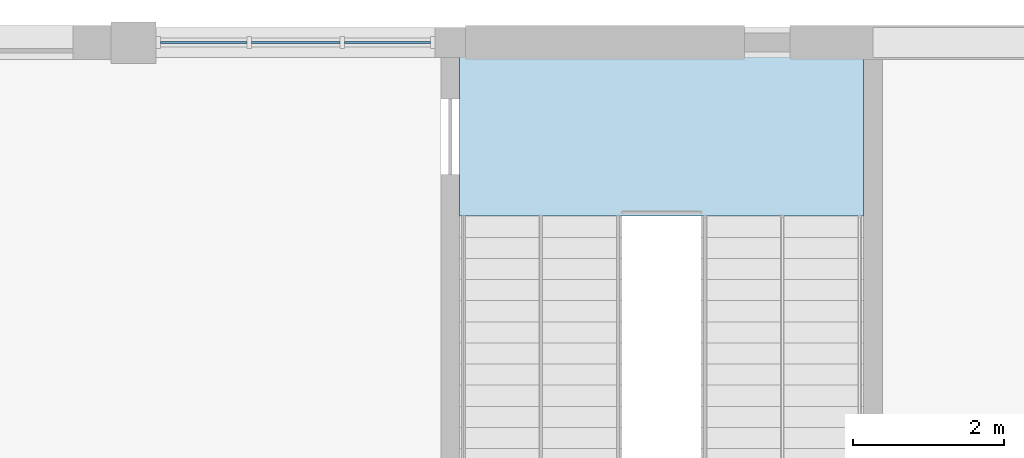
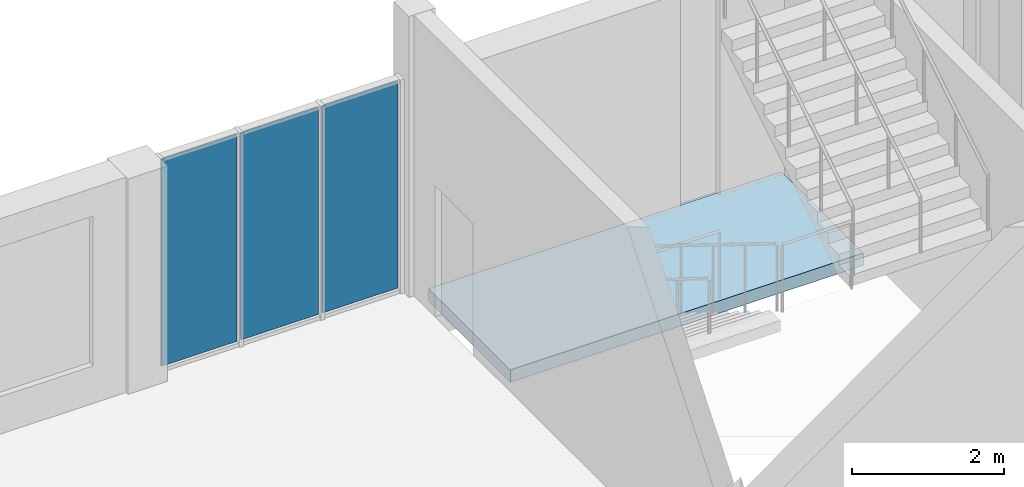
# One storey, part 91 of 116: 3 plates, 1 slab, 2 elements without a shape of their own.
"""IFC4 building model written with IfcOpenShell, lengths in metres."""

from ifc_helpers import new_model, si_unit, direction, frame, origin, origin_2d, place, context, subcontext, project, spatial, polyline, rectangle, outline, extrude, material, layer, layer_set, type_object, element, aggregate, save


model = new_model("IFC4")

# Units and contexts
model_context = context("Model", 3, precision=1e-05, world=origin(), true_north=direction((0.0, 1.0)))
body_context = subcontext(model_context, "Body", "Model", "MODEL_VIEW")
ifc_project = project(units=[si_unit("LENGTHUNIT", "METRE"), si_unit("AREAUNIT", "SQUARE_METRE"), si_unit("VOLUMEUNIT", "CUBIC_METRE"), si_unit("PLANEANGLEUNIT", "RADIAN"), si_unit("MASSUNIT", "GRAM", prefix="KILO")], contexts=[model_context])

# Site, building, storey
site_placement = place(None, origin())
site = spatial("IfcSite", under=ifc_project, at=site_placement, CompositionType="ELEMENT")
building_placement = place(site_placement, origin())
building = spatial("IfcBuilding", under=site, at=building_placement, Name="Fescue Hill Polytechnic", CompositionType="ELEMENT")
storey_placement = place(building_placement, frame((0.0, 0.0, 13.5)))
storey = spatial("IfcBuildingStorey", under=building, at=storey_placement, Name="L03", CompositionType="ELEMENT", Elevation=13.5)

# Curtain wall, plates
ifc_material_1 = material(Name="Glass", Category="glass")
curtain_wall_type = type_object("IfcCurtainWallType", Name="Curtain wall structural glazing", PredefinedType="NOTDEFINED", material=ifc_material_1)
curtain_wall_placement = place(storey_placement, origin())
curtain_wall = element("IfcCurtainWall", 1, at=curtain_wall_placement, inside=storey, type_object=curtain_wall_type, Name="CW-L03-V4b-X1", PredefinedType="NOTDEFINED")
ifc_layer_1 = layer(ifc_material_1, 0.028076171875)
ifc_layer_set_1 = layer_set([ifc_layer_1], Name="Glass")
plate_type = type_object("IfcPlateType", Name="Panel glazing 28", PredefinedType="CURTAIN_PANEL", material=ifc_layer_set_1)
plate_1_placement = place(storey_placement, frame((108.368408203125, 134.39990234375, 0.06005859375), z_axis=(0.0, 0.0, 1.0), x_axis=(-1.0, 0.0, 0.0)))
plate_1 = element("IfcPlate", 2, at=plate_1_placement, type_object=plate_type, Name="CW167 panel 1.1", PredefinedType="CURTAIN_PANEL", context=body_context, shape_type="SweptSolid", body=[
    extrude(rectangle(XDim=1.143310546875, YDim=0.028076171875, at=origin_2d()), origin(), (0.0, 0.0, 1.0), 3.31005859375),
])
plate_2_placement = place(storey_placement, frame((107.14990234375, 134.39990234375, 0.06005859375), z_axis=(0.0, 0.0, 1.0), x_axis=(-1.0, 0.0, 0.0)))
plate_2 = element("IfcPlate", 3, at=plate_2_placement, type_object=plate_type, Name="CW167 panel 2.1", PredefinedType="CURTAIN_PANEL", context=body_context, shape_type="SweptSolid", body=[
    extrude(rectangle(XDim=1.17333984375, YDim=0.028076171875, at=origin_2d()), origin(), (0.0, 0.0, 1.0), 3.31005859375),
])
plate_3_placement = place(storey_placement, frame((105.931640625, 134.39990234375, 0.06005859375), z_axis=(0.0, 0.0, 1.0), x_axis=(-1.0, 0.0, 0.0)))
plate_3 = element("IfcPlate", 4, at=plate_3_placement, type_object=plate_type, Name="CW167 panel 3.1", PredefinedType="CURTAIN_PANEL", context=body_context, shape_type="SweptSolid", body=[
    extrude(rectangle(XDim=1.143310546875, YDim=0.028076171875, at=origin_2d()), origin(), (0.0, 0.0, 1.0), 3.31005859375),
])
aggregate(curtain_wall, [plate_1, plate_2, plate_3])

# Stair, slab
ifc_material_2 = material(Name="Concrete 35 MPa", Category="concrete")
stair_type = type_object("IfcStairType", Name="Half-turn stair 2150 flights", PredefinedType="HALF_TURN_STAIR", material=ifc_material_2)
stair_placement = place(storey_placement, origin())
stair = element("IfcStair", 5, at=stair_placement, inside=storey, type_object=stair_type, Name="L03 ST-V4b-2 stair", PredefinedType="HALF_TURN_STAIR")
ifc_layer_2 = layer(ifc_material_2, 0.199951171875)
ifc_layer_set_2 = layer_set([ifc_layer_2], Name="Concrete 35 MPa")
slab_type = type_object("IfcSlabType", Name="Stair landing slab 200", PredefinedType="LANDING", material=ifc_layer_set_2)
slab_placement = place(storey_placement, frame((0.0, 0.0, -0.199951171875)))
slab = element("IfcSlab", 6, at=slab_placement, type_object=slab_type, Name="S23 landing 2", PredefinedType="LANDING", context=body_context, shape_type="SweptSolid", body=[
    extrude(outline(polyline([(109.324951171875, 132.10009765625), (114.675048828125, 132.10009765625), (114.675048828125, 134.25), (109.324951171875, 134.25), (109.324951171875, 132.10009765625)])), origin(), (0.0, 0.0, 1.0), 0.199951171875),
])
aggregate(stair, [slab])

save(model, "model.ifc")
